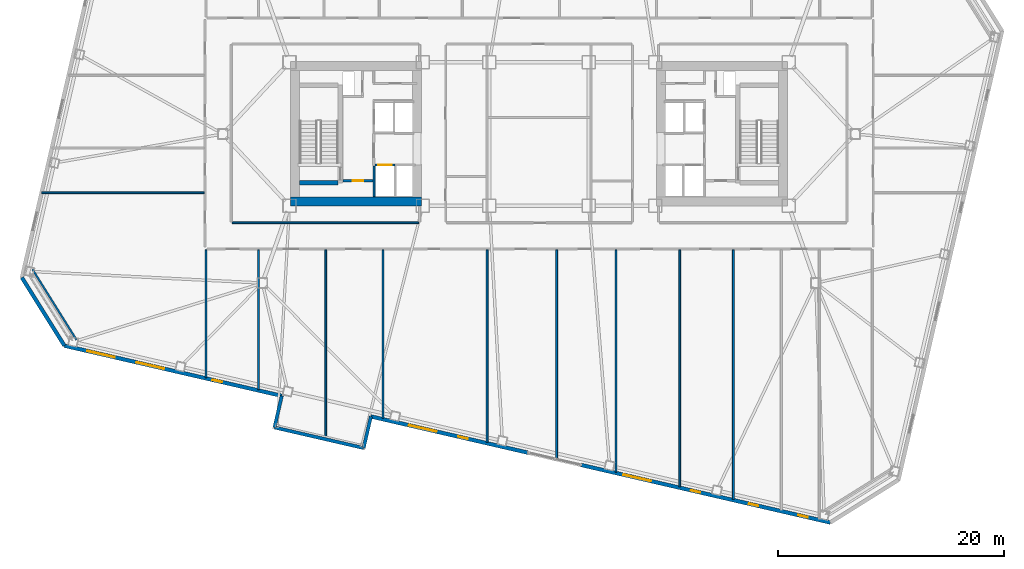
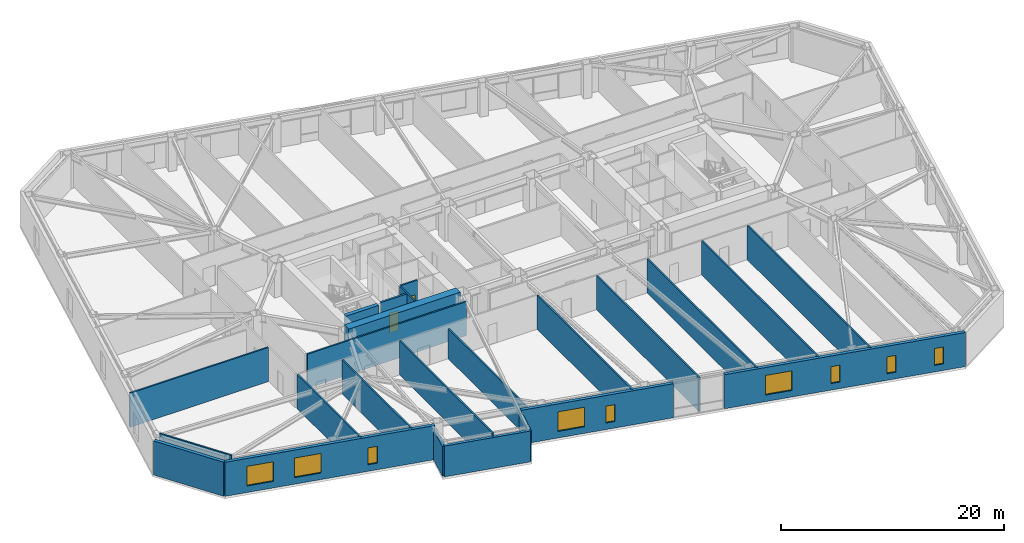
# One storey, part 8 of 18: 24 walls, 9 windows, 2 doors, 11 openings.
"""IFC4 building model written with IfcOpenShell, lengths in metres."""

import ifcopenshell
import ifcopenshell.guid

model = None  # the IFC model being written
_history = None  # IfcOwnerHistory: only IFC2X3 demands one
_inside = {}  # id of a spatial element -> (the spatial element, [elements in it])
_under = {}  # id of a project, library or spatial element -> (it, [spatial elements below it])
_declared = {}  # id of a project -> (the project, [libraries it declares])
_typed = {}  # id of a type object -> (the type object, [elements of that type])
_made_of = {}  # id of a material, layer set ... -> (it, [elements and type objects made of it])


def new_model(schema):
    """Start an empty IFC model of exactly this schema.

    Asked for "IFC4X3", IfcOpenShell would pick the latest addendum, in which some entities
    have other attributes; the version numbers below select the first issue.
    IFC2X3 requires an IfcOwnerHistory on every rooted entity: one is made here for all.
    """
    global model, _history
    if schema == "IFC4X3":
        model = ifcopenshell.file(schema_version=(4, 3, 0, 0))
    else:
        model = ifcopenshell.file(schema=schema)
    _inside.clear()
    _under.clear()
    _declared.clear()
    _typed.clear()
    _made_of.clear()
    _history = None
    if model.schema == "IFC2X3":
        org = make("IfcOrganization", Name="unknown")
        user = make(
            "IfcPersonAndOrganization",
            ThePerson=make("IfcPerson", FamilyName="unknown"),
            TheOrganization=org,
        )
        app = make(
            "IfcApplication",
            ApplicationDeveloper=org,
            Version="unknown",
            ApplicationFullName="unknown",
            ApplicationIdentifier="unknown",
        )
        _history = make(
            "IfcOwnerHistory",
            OwningUser=user,
            OwningApplication=app,
            ChangeAction="ADDED",
            CreationDate=0,
        )
    return model


def make(cls, **values):
    """One entity of the class cls with the attributes given. An attribute that is None is left unset."""
    return model.create_entity(
        cls, **{name: value for name, value in values.items() if value is not None}
    )


def rooted(cls, **values):
    """An entity with a GlobalId (a new one), such as an element, a storey or a relation."""
    return make(cls, GlobalId=ifcopenshell.guid.new(), OwnerHistory=_history, **values)


def si_unit(unit_type, name, prefix=None):
    """IfcSIUnit, for example si_unit("LENGTHUNIT", "METRE", prefix="MILLI")."""
    return make("IfcSIUnit", UnitType=unit_type, Prefix=prefix, Name=name)


def assignment(units):
    """IfcUnitAssignment: the units of a project."""
    return None if units is None else make("IfcUnitAssignment", Units=units)


def point(xyz):
    """IfcCartesianPoint."""
    return None if xyz is None else make("IfcCartesianPoint", Coordinates=xyz)


def direction(xyz):
    """IfcDirection."""
    return None if xyz is None else make("IfcDirection", DirectionRatios=xyz)


def frame(location, z_axis=None, x_axis=None):
    """IfcAxis2Placement3D, a coordinate frame: its origin and axes. An axis left out is left unset."""
    return make(
        "IfcAxis2Placement3D",
        Location=point(location),
        Axis=direction(z_axis),
        RefDirection=direction(x_axis),
    )


def frame_2d(location, x_axis=None):
    """IfcAxis2Placement2D, a coordinate frame in the plane: its origin and x axis."""
    return make(
        "IfcAxis2Placement2D", Location=point(location), RefDirection=direction(x_axis)
    )


def origin():
    """The frame at (0, 0, 0) with its axes left unset."""
    return frame((0.0, 0.0, 0.0))


def place(relative_to, where):
    """IfcLocalPlacement: puts the frame where relative to a parent placement (None: the world)."""
    return make(
        "IfcLocalPlacement", PlacementRelTo=relative_to, RelativePlacement=where
    )


def context(
    kind, dimensions, precision=None, world=None, true_north=None, identifier=None
):
    """IfcGeometricRepresentationContext, for example the 3D "Model" context."""
    return make(
        "IfcGeometricRepresentationContext",
        ContextIdentifier=identifier,
        ContextType=kind,
        CoordinateSpaceDimension=dimensions,
        Precision=precision,
        WorldCoordinateSystem=world,
        TrueNorth=true_north,
    )


def subcontext(parent, identifier, kind, view, scale=None):
    """IfcGeometricRepresentationSubContext, for example "Body" below "Model"."""
    return make(
        "IfcGeometricRepresentationSubContext",
        ContextIdentifier=identifier,
        ContextType=kind,
        ParentContext=parent,
        TargetScale=scale,
        TargetView=view,
    )


def project(units=None, contexts=None):
    """IfcProject with its units and contexts."""
    return rooted(
        "IfcProject",
        Name="project",
        RepresentationContexts=contexts,
        UnitsInContext=assignment(units),
    )


def spatial(cls, under=None, at=None, **own):
    """A site, building, storey or space (cls), placed at a placement, below another one or the project."""
    s = rooted(cls, ObjectPlacement=at, **own)
    if under is not None:
        _under.setdefault(under.id(), (under, []))[1].append(s)
    return s


def profile(cls, at=None, kind="AREA", **sizes):
    """A parametric profile (cls). Its sizes go by their IFC names, for example OverallWidth=200.0."""
    return make(cls, ProfileType=kind, Position=at, **sizes)


def rectangle(**sizes):
    """IfcRectangleProfileDef."""
    return profile("IfcRectangleProfileDef", **sizes)


def extrude(swept, where, along, depth):
    """IfcExtrudedAreaSolid: the profile swept, set in the frame where, extruded along a direction by depth."""
    return make(
        "IfcExtrudedAreaSolid",
        SweptArea=swept,
        Position=where,
        ExtrudedDirection=direction(along),
        Depth=depth,
    )


def shape(context_of_items, identifier, shape_type, items):
    """IfcShapeRepresentation: the items that make up one representation, for example the "Body"."""
    return make(
        "IfcShapeRepresentation",
        ContextOfItems=context_of_items,
        RepresentationIdentifier=identifier,
        RepresentationType=shape_type,
        Items=items,
    )


def material(Name=None, Category=None):
    """IfcMaterial."""
    return make("IfcMaterial", Name=Name, Category=Category)


def layer(
    of_material, thickness, ventilated=None, Name=None, Category=None, Priority=None
):
    """IfcMaterialLayer: one layer of a wall or slab, of a material (None: an air gap)."""
    return make(
        "IfcMaterialLayer",
        Material=of_material,
        LayerThickness=thickness,
        IsVentilated=ventilated,
        Name=Name,
        Category=Category,
        Priority=Priority,
    )


def layer_set(layers, Name=None):
    """IfcMaterialLayerSet."""
    return make("IfcMaterialLayerSet", MaterialLayers=layers, LayerSetName=Name)


def made_of(thing, what):
    """Note that an element or type object is made of a material, layer set ...; save() writes the relation."""
    if what is not None:
        _made_of.setdefault(what.id(), (what, []))[1].append(thing)
    return thing


def type_object(cls, material=None, **own):
    """A type object (cls), such as IfcWallType, which elements share."""
    return made_of(rooted(cls, **own), material)


def element(
    cls,
    number,
    at=None,
    inside=None,
    cuts=None,
    type_object=None,
    material=None,
    context=None,
    identifier="Body",
    shape_type=None,
    held_by="IfcProductDefinitionShape",
    body=None,
    shapes=None,
    **own,
):
    """One element of the class cls, such as IfcWall. Its Tag is "e" and its number.

    at: its placement. inside: the storey or other place that contains it. cuts: it is an
    opening in that element (IfcRelVoidsElement). A single representation is given by context,
    identifier, shape_type and body (its items); several are given by shapes. held_by: the class
    of the entity that holds the representations. save() writes the other relations.
    """
    e = rooted(cls, Tag="e%d" % number, ObjectPlacement=at, **own)
    if body is not None:
        shapes = [shape(context, identifier, shape_type, body)]
    if shapes is not None:
        e.Representation = make(held_by, Representations=shapes)
    if inside is not None:
        _inside.setdefault(inside.id(), (inside, []))[1].append(e)
    if cuts is not None:
        rooted(
            "IfcRelVoidsElement", RelatingBuildingElement=cuts, RelatedOpeningElement=e
        )
    if type_object is not None:
        _typed.setdefault(type_object.id(), (type_object, []))[1].append(e)
    return made_of(e, material)


def fill(opening, filler):
    """IfcRelFillsElement: the door or window that sits in an opening."""
    return rooted(
        "IfcRelFillsElement",
        RelatingOpeningElement=opening,
        RelatedBuildingElement=filler,
    )


def aggregate(whole, parts):
    """IfcRelAggregates: a whole, such as a stair, and the parts it consists of."""
    return rooted("IfcRelAggregates", RelatingObject=whole, RelatedObjects=parts)


def save(model, path):
    """Write the relations noted so far, then the file.

    IfcRelAggregates (storeys below a building ...), IfcRelContainedInSpatialStructure (elements
    in a storey), IfcRelDefinesByType, IfcRelAssociatesMaterial and IfcRelDeclares: one each for
    every whole, place, type object, material and project.
    """
    for whole, parts in _under.values():
        aggregate(whole, parts)
    for where, things in _inside.values():
        rooted(
            "IfcRelContainedInSpatialStructure",
            RelatedElements=things,
            RelatingStructure=where,
        )
    for kind, things in _typed.values():
        rooted("IfcRelDefinesByType", RelatedObjects=things, RelatingType=kind)
    for what, things in _made_of.values():
        rooted("IfcRelAssociatesMaterial", RelatedObjects=things, RelatingMaterial=what)
    for by, libraries in _declared.values():
        rooted("IfcRelDeclares", RelatingContext=by, RelatedDefinitions=libraries)
    model.write(path)


model = new_model("IFC4")

# Units and contexts
model_context = context("Model", 3, precision=1e-05, world=origin(), true_north=direction((0.0, 1.0)))
body_context = subcontext(model_context, "Body", "Model", "MODEL_VIEW")
ifc_project = project(units=[si_unit("LENGTHUNIT", "METRE"), si_unit("AREAUNIT", "SQUARE_METRE"), si_unit("VOLUMEUNIT", "CUBIC_METRE"), si_unit("PLANEANGLEUNIT", "RADIAN"), si_unit("MASSUNIT", "GRAM", prefix="KILO")], contexts=[model_context])

# Site, building, storey
site_placement = place(None, origin())
site = spatial("IfcSite", under=ifc_project, at=site_placement, CompositionType="ELEMENT")
building_placement = place(site_placement, origin())
building = spatial("IfcBuilding", under=site, at=building_placement, Name="Tavrogorsk Clinical Tower", CompositionType="ELEMENT")
storey_placement = place(building_placement, frame((0.0, 0.0, 51.39990234375)))
storey = spatial("IfcBuildingStorey", under=building, at=storey_placement, Name="L10", CompositionType="ELEMENT", Elevation=51.39990234375)

# Wall, opening, door
ifc_material_1 = material(Name="Concrete B60", Category="concrete")
ifc_layer_1 = layer(ifc_material_1, 0.199951171875)
ifc_layer_set_1 = layer_set([ifc_layer_1], Name="Concrete B60")
wall_type_1 = type_object("IfcWallType", Name="CoreFireWall_200", PredefinedType="SOLIDWALL", material=ifc_layer_set_1)
wall_1_placement = place(storey_placement, frame((-17.3798828125, -4.139892578125, 0.0), z_axis=(0.0, 0.0, 1.0), x_axis=(1.0, 0.0, 0.0)))
wall_1 = element("IfcWall", 1, at=wall_1_placement, inside=storey, type_object=wall_type_1, Name="L10 Core West South Core Room Fire Wall", PredefinedType="SOLIDWALL", context=body_context, shape_type="SweptSolid", body=[
    extrude(rectangle(XDim=2.659912109375, YDim=0.199951171875, at=frame_2d((1.330078125, 0.0))), origin(), (0.0, 0.0, 1.0), 3.739990234375),
])
opening_1_placement = place(wall_1_placement, frame((0.8798828125, 0.0, 0.0)))
opening_1 = element("IfcOpeningElement", 2, at=opening_1_placement, cuts=wall_1, Name="Opening ID-02", PredefinedType="OPENING", context=body_context, shape_type="SweptSolid", body=[
    extrude(rectangle(XDim=0.949951171875, YDim=2.199951171875, at=frame_2d((0.47509765625, 1.10009765625))), frame((0.0, 0.10986328125, 0.0), z_axis=(0.0, -1.0, 0.0), x_axis=(1.0, 0.0, 0.0)), (0.0, 0.0, 1.0), 0.219970703125),
])
ifc_material_2 = material(Name="Laminated timber leaf on aluminium frame", Category="wood")
door_type_1 = type_object("IfcDoorType", Name="InteriorDoor_ID02_950", OperationType="NOTDEFINED", PredefinedType="DOOR", material=ifc_material_2)
door_1_placement = place(opening_1_placement, origin())
door_1 = element("IfcDoor", 3, at=door_1_placement, inside=storey, type_object=door_type_1, Name="L10 Core West South Core Room Door", OperationType="SINGLE_SWING_RIGHT", OverallHeight=2.199951171875, OverallWidth=0.949951171875, PredefinedType="DOOR", context=body_context, shape_type="SweptSolid", body=[
    extrude(rectangle(XDim=0.949951171875, YDim=2.199951171875, at=frame_2d((0.47509765625, 1.10009765625))), frame((0.0, 0.02490234375, 0.0), z_axis=(0.0, -1.0, 0.0), x_axis=(1.0, 0.0, 0.0)), (0.0, 0.0, 1.0), 0.050048828125),
])
fill(opening_1, door_1)

# Walls
ifc_material_3 = material(Name="Lightweight concrete blockwork B15", Category="masonry")
ifc_layer_2 = layer(ifc_material_3, 0.159912109375)
ifc_layer_set_2 = layer_set([ifc_layer_2], Name="Lightweight concrete blockwork B15")
wall_type_2 = type_object("IfcWallType", Name="PartitionWall_160", PredefinedType="PARTITIONING", material=ifc_layer_set_2)
wall_2_placement = place(storey_placement, frame((-44.85986328125, -11.9892578125, 0.0), z_axis=(0.0, 0.0, 1.0), x_axis=(0.52991239767, -0.848052386823, 0.0)))
element("IfcWall", 4, at=wall_2_placement, inside=storey, type_object=wall_type_2, Name="L10 Corner Exoskeleton Brace Furring Wall 4", PredefinedType="PARTITIONING", context=body_context, shape_type="SweptSolid", body=[
    extrude(rectangle(XDim=7.35400390625, YDim=0.159912109375, at=frame_2d((3.677001953125, 0.0))), origin(), (0.0, 0.0, 1.0), 3.739990234375),
])
wall_3_placement = place(storey_placement, frame((-27.18505859375, -7.8701171875, 0.0), z_axis=(0.0, 0.0, 1.0), x_axis=(1.0, 0.0, 0.0)))
element("IfcWall", 5, at=wall_3_placement, inside=storey, type_object=wall_type_2, Name="L10 Corridor Partition 18", PredefinedType="PARTITIONING", context=body_context, shape_type="SweptSolid", body=[
    extrude(rectangle(XDim=16.52001953125, YDim=0.159912109375, at=frame_2d((8.260009765625, 0.0))), origin(), (0.0, 0.0, 1.0), 3.739990234375),
])
wall_4_placement = place(storey_placement, frame((-29.5, -21.570556640625, 0.0), z_axis=(0.0, 0.0, 1.0), x_axis=(0.0, 1.0, 0.0)))
element("IfcWall", 6, at=wall_4_placement, inside=storey, type_object=wall_type_2, Name="L10 SW Wing Closure Partition", PredefinedType="PARTITIONING", context=body_context, shape_type="SweptSolid", body=[
    extrude(rectangle(XDim=11.3056640625, YDim=0.159912109375, at=frame_2d((5.65283203125, 0.0))), origin(), (0.0, 0.0, 1.0), 3.739990234375),
])
wall_5_placement = place(storey_placement, frame((-24.85009765625, -22.64404296875, 0.0), z_axis=(0.0, 0.0, 1.0), x_axis=(0.0, 1.0, 0.0)))
element("IfcWall", 7, at=wall_5_placement, inside=storey, type_object=wall_type_2, Name="L10 South Room Partition 1", PredefinedType="PARTITIONING", context=body_context, shape_type="SweptSolid", body=[
    extrude(rectangle(XDim=12.379150390625, YDim=0.159912109375, at=frame_2d((6.189453125, 0.0))), origin(), (0.0, 0.0, 1.0), 3.739990234375),
])
wall_6_placement = place(storey_placement, frame((-13.826904296875, -25.18896484375, 0.0), z_axis=(0.0, 0.0, 1.0), x_axis=(0.0, 1.0, 0.0)))
element("IfcWall", 8, at=wall_6_placement, inside=storey, type_object=wall_type_2, Name="L10 South Room Partition 2", PredefinedType="PARTITIONING", context=body_context, shape_type="SweptSolid", body=[
    extrude(rectangle(XDim=14.924072265625, YDim=0.159912109375, at=frame_2d((7.4619140625, 0.0))), origin(), (0.0, 0.0, 1.0), 3.28515625),
])
wall_7_placement = place(storey_placement, frame((-4.60009765625, -27.319091796875, 0.0), z_axis=(0.0, 0.0, 1.0), x_axis=(0.0, 1.0, 0.0)))
element("IfcWall", 9, at=wall_7_placement, inside=storey, type_object=wall_type_2, Name="L10 South Room Partition 3", PredefinedType="PARTITIONING", context=body_context, shape_type="SweptSolid", body=[
    extrude(rectangle(XDim=17.05419921875, YDim=0.159912109375, at=frame_2d((8.527099609375, 0.0))), origin(), (0.0, 0.0, 1.0), 3.739990234375),
])
wall_8_placement = place(storey_placement, frame((6.800048828125, -29.951171875, 0.0), z_axis=(0.0, 0.0, 1.0), x_axis=(0.0, 1.0, 0.0)))
element("IfcWall", 10, at=wall_8_placement, inside=storey, type_object=wall_type_2, Name="L10 South Room Partition 4", PredefinedType="PARTITIONING", context=body_context, shape_type="SweptSolid", body=[
    extrude(rectangle(XDim=19.686279296875, YDim=0.159912109375, at=frame_2d((9.84326171875, 0.0))), origin(), (0.0, 0.0, 1.0), 3.739990234375),
])
wall_9_placement = place(storey_placement, frame((17.199951171875, -32.35205078125, 0.0), z_axis=(0.0, 0.0, 1.0), x_axis=(0.0, 1.0, 0.0)))
element("IfcWall", 11, at=wall_9_placement, inside=storey, type_object=wall_type_2, Name="L10 South Room Partition 5", PredefinedType="PARTITIONING", context=body_context, shape_type="SweptSolid", body=[
    extrude(rectangle(XDim=22.087158203125, YDim=0.159912109375, at=frame_2d((11.04345703125, 0.0))), origin(), (0.0, 0.0, 1.0), 3.739990234375),
])
wall_10_placement = place(storey_placement, frame((-18.888916015625, -26.9453125, 0.0), z_axis=(0.0, 0.0, 1.0), x_axis=(0.0, 1.0, 0.0)))
element("IfcWall", 12, at=wall_10_placement, inside=storey, type_object=wall_type_2, Name="L10 South Sub-Partition 2", PredefinedType="PARTITIONING", context=body_context, shape_type="SweptSolid", body=[
    extrude(rectangle(XDim=16.680419921875, YDim=0.159912109375, at=frame_2d((8.34033203125, 0.0))), origin(), (0.0, 0.0, 1.0), 3.739990234375),
])
wall_11_placement = place(storey_placement, frame((1.550048828125, -28.739013671875, 0.0), z_axis=(0.0, 0.0, 1.0), x_axis=(0.0, 1.0, 0.0)))
element("IfcWall", 13, at=wall_11_placement, inside=storey, type_object=wall_type_2, Name="L10 South Sub-Partition 4", PredefinedType="PARTITIONING", context=body_context, shape_type="SweptSolid", body=[
    extrude(rectangle(XDim=18.47412109375, YDim=0.159912109375, at=frame_2d((9.237060546875, 0.0))), origin(), (0.0, 0.0, 1.0), 3.739990234375),
])
wall_12_placement = place(storey_placement, frame((12.449951171875, -31.255615234375, 0.0), z_axis=(0.0, 0.0, 1.0), x_axis=(0.0, 1.0, 0.0)))
element("IfcWall", 14, at=wall_12_placement, inside=storey, type_object=wall_type_2, Name="L10 South Sub-Partition 5", PredefinedType="PARTITIONING", context=body_context, shape_type="SweptSolid", body=[
    extrude(rectangle(XDim=20.99072265625, YDim=0.159912109375, at=frame_2d((10.495361328125, 0.0))), origin(), (0.0, 0.0, 1.0), 3.739990234375),
])
wall_13_placement = place(storey_placement, frame((-44.0419921875, -5.199951171875, 0.0), z_axis=(0.0, 0.0, 1.0), x_axis=(1.0, 0.0, 0.0)))
element("IfcWall", 15, at=wall_13_placement, inside=storey, type_object=wall_type_2, Name="L10 W Wing Divider 1", PredefinedType="PARTITIONING", context=body_context, shape_type="SweptSolid", body=[
    extrude(rectangle(XDim=14.376953125, YDim=0.159912109375, at=frame_2d((7.1884765625, 0.0))), origin(), (0.0, 0.0, 1.0), 3.739990234375),
])

# Wall, openings, windows
ifc_material_4 = material(Name="Precast concrete B45 with limestone cladding", Category="masonry")
ifc_layer_3 = layer(ifc_material_4, 0.340087890625)
ifc_layer_set_3 = layer_set([ifc_layer_3], Name="Precast concrete B45 with limestone cladding")
wall_type_3 = type_object("IfcWallType", Name="PrecastLimestoneWall_340", PredefinedType="STANDARD", material=ifc_layer_set_3)
wall_14_placement = place(storey_placement, frame((-42.028564453125, -18.75, 0.0), z_axis=(0.0, 0.0, 1.0), x_axis=(0.974371399361, -0.224945273581, 0.0)))
wall_14 = element("IfcWall", 16, at=wall_14_placement, inside=storey, type_object=wall_type_3, Name="L10 S Limestone Facade Wall 1", PredefinedType="STANDARD", context=body_context, shape_type="SweptSolid", body=[
    extrude(rectangle(XDim=19.749755859375, YDim=0.340087890625, at=frame_2d((9.875, 0.0))), origin(), (0.0, 0.0, 1.0), 3.739990234375),
])
opening_2_placement = place(wall_14_placement, frame((2.06201171875, 0.0, 0.719970703125)))
opening_2 = element("IfcOpeningElement", 17, at=opening_2_placement, cuts=wall_14, Name="Opening WN-11", PredefinedType="OPENING", context=body_context, shape_type="SweptSolid", body=[
    extrude(rectangle(XDim=2.5, YDim=2.14990234375, at=frame_2d((1.25, 1.074951171875))), frame((0.0, 0.179931640625, 0.0), z_axis=(0.0, -1.0, 0.0), x_axis=(1.0, 0.0, 0.0)), (0.0, 0.0, 1.0), 0.360107421875),
])
opening_3_placement = place(wall_14_placement, frame((6.54638671875, 0.0, 0.719970703125)))
opening_3 = element("IfcOpeningElement", 18, at=opening_3_placement, cuts=wall_14, Name="Opening WN-11", PredefinedType="OPENING", context=body_context, shape_type="SweptSolid", body=[
    extrude(rectangle(XDim=2.5, YDim=2.14990234375, at=frame_2d((1.25, 1.074951171875))), frame((0.0, 0.179931640625, 0.0), z_axis=(0.0, -1.0, 0.0), x_axis=(1.0, 0.0, 0.0)), (0.0, 0.0, 1.0), 0.360107421875),
])
opening_4_placement = place(wall_14_placement, frame((13.460693359375, 0.0, 0.719970703125)))
opening_4 = element("IfcOpeningElement", 19, at=opening_4_placement, cuts=wall_14, Name="Opening WN-06", PredefinedType="OPENING", context=body_context, shape_type="SweptSolid", body=[
    extrude(rectangle(XDim=0.85009765625, YDim=1.85009765625, at=frame_2d((0.425048828125, 0.925048828125))), frame((0.0, 0.179931640625, 0.0), z_axis=(0.0, -1.0, 0.0), x_axis=(1.0, 0.0, 0.0)), (0.0, 0.0, 1.0), 0.360107421875),
])
ifc_material_5 = material(Name="Thermally broken aluminium frame and triple IGU", Category="aluminium")
window_type_1 = type_object("IfcWindowType", Name="MullionSubWin_850x1850", PartitioningType="SINGLE_PANEL", PredefinedType="WINDOW", material=ifc_material_5)
window_1_placement = place(opening_4_placement, origin())
window_1 = element("IfcWindow", 20, at=window_1_placement, inside=storey, type_object=window_type_1, Name="L10 S Mullion Split Window 03B", OverallHeight=1.85009765625, OverallWidth=0.85009765625, PartitioningType="SINGLE_PANEL", PredefinedType="WINDOW", context=body_context, shape_type="SweptSolid", body=[
    extrude(rectangle(XDim=0.85009765625, YDim=1.85009765625, at=frame_2d((0.425048828125, 0.925048828125))), frame((0.0, 0.030029296875, 0.0), z_axis=(0.0, -1.0, 0.0), x_axis=(1.0, 0.0, 0.0)), (0.0, 0.0, 1.0), 0.06005859375),
])
fill(opening_4, window_1)
ifc_material_6 = material(Name="Thermally broken aluminium frame and triple IGU", Category="aluminium")
window_type_2 = type_object("IfcWindowType", Name="StepDownWin_2500x2150", PartitioningType="TRIPLE_PANEL_HORIZONTAL", PredefinedType="WINDOW", material=ifc_material_6)
window_2_placement = place(opening_2_placement, origin())
window_2 = element("IfcWindow", 21, at=window_2_placement, inside=storey, type_object=window_type_2, Name="L10 S Chicago Window 01", OverallHeight=2.14990234375, OverallWidth=2.5, PartitioningType="SINGLE_PANEL", PredefinedType="WINDOW", context=body_context, shape_type="SweptSolid", body=[
    extrude(rectangle(XDim=2.5, YDim=2.14990234375, at=frame_2d((1.25, 1.074951171875))), frame((0.0, 0.030029296875, 0.0), z_axis=(0.0, -1.0, 0.0), x_axis=(1.0, 0.0, 0.0)), (0.0, 0.0, 1.0), 0.06005859375),
])
fill(opening_2, window_2)
window_3_placement = place(opening_3_placement, origin())
window_3 = element("IfcWindow", 22, at=window_3_placement, inside=storey, type_object=window_type_2, Name="L10 S Chicago Window 02", OverallHeight=2.14990234375, OverallWidth=2.5, PartitioningType="SINGLE_PANEL", PredefinedType="WINDOW", context=body_context, shape_type="SweptSolid", body=[
    extrude(rectangle(XDim=2.5, YDim=2.14990234375, at=frame_2d((1.25, 1.074951171875))), frame((0.0, 0.030029296875, 0.0), z_axis=(0.0, -1.0, 0.0), x_axis=(1.0, 0.0, 0.0)), (0.0, 0.0, 1.0), 0.06005859375),
])
fill(opening_3, window_3)

wall_15_placement = place(storey_placement, frame((-14.892333984375, -25.014892578125, 0.0), z_axis=(0.0, 0.0, 1.0), x_axis=(0.974372775, -0.224939314791, 0.0)))
wall_15 = element("IfcWall", 23, at=wall_15_placement, inside=storey, type_object=wall_type_3, Name="L10 S Limestone Facade Wall 2", PredefinedType="STANDARD", context=body_context, shape_type="SweptSolid", body=[
    extrude(rectangle(XDim=14.298583984375, YDim=0.340087890625, at=frame_2d((7.1494140625, 0.0))), origin(), (0.0, 0.0, 1.0), 3.739990234375),
])
opening_5_placement = place(wall_15_placement, frame((3.457763671875, 0.0, 0.719970703125)))
opening_5 = element("IfcOpeningElement", 24, at=opening_5_placement, cuts=wall_15, Name="Opening WN-11", PredefinedType="OPENING", context=body_context, shape_type="SweptSolid", body=[
    extrude(rectangle(XDim=2.5, YDim=2.14990234375, at=frame_2d((1.25, 1.074951171875))), frame((0.0, 0.179931640625, 0.0), z_axis=(0.0, -1.0, 0.0), x_axis=(1.0, 0.0, 0.0)), (0.0, 0.0, 1.0), 0.360107421875),
])
opening_6_placement = place(wall_15_placement, frame((7.942138671875, 0.0, 0.719970703125)))
opening_6 = element("IfcOpeningElement", 25, at=opening_6_placement, cuts=wall_15, Name="Opening WN-06", PredefinedType="OPENING", context=body_context, shape_type="SweptSolid", body=[
    extrude(rectangle(XDim=0.85009765625, YDim=1.85009765625, at=frame_2d((0.425048828125, 0.925048828125))), frame((0.0, 0.179931640625, 0.0), z_axis=(0.0, -1.0, 0.0), x_axis=(1.0, 0.0, 0.0)), (0.0, 0.0, 1.0), 0.360107421875),
])
window_4_placement = place(opening_6_placement, origin())
window_4 = element("IfcWindow", 26, at=window_4_placement, inside=storey, type_object=window_type_1, Name="L10 S Mullion Split Window 06A", OverallHeight=1.85009765625, OverallWidth=0.85009765625, PartitioningType="SINGLE_PANEL", PredefinedType="WINDOW", context=body_context, shape_type="SweptSolid", body=[
    extrude(rectangle(XDim=0.85009765625, YDim=1.85009765625, at=frame_2d((0.425048828125, 0.925048828125))), frame((0.0, 0.030029296875, 0.0), z_axis=(0.0, -1.0, 0.0), x_axis=(1.0, 0.0, 0.0)), (0.0, 0.0, 1.0), 0.06005859375),
])
fill(opening_6, window_4)
window_5_placement = place(opening_5_placement, origin())
window_5 = element("IfcWindow", 27, at=window_5_placement, inside=storey, type_object=window_type_2, Name="L10 S Chicago Window 05", OverallHeight=2.14990234375, OverallWidth=2.5, PartitioningType="SINGLE_PANEL", PredefinedType="WINDOW", context=body_context, shape_type="SweptSolid", body=[
    extrude(rectangle(XDim=2.5, YDim=2.14990234375, at=frame_2d((1.25, 1.074951171875))), frame((0.0, 0.030029296875, 0.0), z_axis=(0.0, -1.0, 0.0), x_axis=(1.0, 0.0, 0.0)), (0.0, 0.0, 1.0), 0.06005859375),
])
fill(opening_5, window_5)

wall_16_placement = place(storey_placement, frame((3.716796875, -29.31103515625, 0.0), z_axis=(0.0, 0.0, 1.0), x_axis=(0.97436993772, -0.224951604723, 0.0)))
wall_16 = element("IfcWall", 28, at=wall_16_placement, inside=storey, type_object=wall_type_3, Name="L10 S Limestone Facade Wall 3", PredefinedType="STANDARD", context=body_context, shape_type="SweptSolid", body=[
    extrude(rectangle(XDim=22.6513671875, YDim=0.340087890625, at=frame_2d((11.32568359375, 0.0))), origin(), (0.0, 0.0, 1.0), 3.739990234375),
])
opening_7_placement = place(wall_16_placement, frame((3.8564453125, 0.0, 0.719970703125)))
opening_7 = element("IfcOpeningElement", 29, at=opening_7_placement, cuts=wall_16, Name="Opening WN-11", PredefinedType="OPENING", context=body_context, shape_type="SweptSolid", body=[
    extrude(rectangle(XDim=2.5, YDim=2.14990234375, at=frame_2d((1.25, 1.074951171875))), frame((0.0, 0.179931640625, 0.0), z_axis=(0.0, -1.0, 0.0), x_axis=(1.0, 0.0, 0.0)), (0.0, 0.0, 1.0), 0.360107421875),
])
opening_8_placement = place(wall_16_placement, frame((9.99072265625, 0.0, 0.719970703125)))
opening_8 = element("IfcOpeningElement", 30, at=opening_8_placement, cuts=wall_16, Name="Opening WN-06", PredefinedType="OPENING", context=body_context, shape_type="SweptSolid", body=[
    extrude(rectangle(XDim=0.85009765625, YDim=1.85009765625, at=frame_2d((0.425048828125, 0.925048828125))), frame((0.0, 0.179931640625, 0.0), z_axis=(0.0, -1.0, 0.0), x_axis=(1.0, 0.0, 0.0)), (0.0, 0.0, 1.0), 0.360107421875),
])
opening_9_placement = place(wall_16_placement, frame((15.2548828125, 0.0, 0.719970703125)))
opening_9 = element("IfcOpeningElement", 31, at=opening_9_placement, cuts=wall_16, Name="Opening WN-06", PredefinedType="OPENING", context=body_context, shape_type="SweptSolid", body=[
    extrude(rectangle(XDim=0.85009765625, YDim=1.85009765625, at=frame_2d((0.425048828125, 0.925048828125))), frame((0.0, 0.179931640625, 0.0), z_axis=(0.0, -1.0, 0.0), x_axis=(1.0, 0.0, 0.0)), (0.0, 0.0, 1.0), 0.360107421875),
])
opening_10_placement = place(wall_16_placement, frame((19.7392578125, 0.0, 0.719970703125)))
opening_10 = element("IfcOpeningElement", 32, at=opening_10_placement, cuts=wall_16, Name="Opening WN-06", PredefinedType="OPENING", context=body_context, shape_type="SweptSolid", body=[
    extrude(rectangle(XDim=0.85009765625, YDim=1.85009765625, at=frame_2d((0.425048828125, 0.925048828125))), frame((0.0, 0.179931640625, 0.0), z_axis=(0.0, -1.0, 0.0), x_axis=(1.0, 0.0, 0.0)), (0.0, 0.0, 1.0), 0.360107421875),
])
window_6_placement = place(opening_8_placement, origin())
window_6 = element("IfcWindow", 33, at=window_6_placement, inside=storey, type_object=window_type_1, Name="L10 S Mullion Split Window 08B", OverallHeight=1.85009765625, OverallWidth=0.85009765625, PartitioningType="SINGLE_PANEL", PredefinedType="WINDOW", context=body_context, shape_type="SweptSolid", body=[
    extrude(rectangle(XDim=0.85009765625, YDim=1.85009765625, at=frame_2d((0.425048828125, 0.925048828125))), frame((0.0, 0.030029296875, 0.0), z_axis=(0.0, -1.0, 0.0), x_axis=(1.0, 0.0, 0.0)), (0.0, 0.0, 1.0), 0.06005859375),
])
fill(opening_8, window_6)
window_7_placement = place(opening_9_placement, origin())
window_7 = element("IfcWindow", 34, at=window_7_placement, inside=storey, type_object=window_type_1, Name="L10 S Mullion Split Window 09B", OverallHeight=1.85009765625, OverallWidth=0.85009765625, PartitioningType="SINGLE_PANEL", PredefinedType="WINDOW", context=body_context, shape_type="SweptSolid", body=[
    extrude(rectangle(XDim=0.85009765625, YDim=1.85009765625, at=frame_2d((0.425048828125, 0.925048828125))), frame((0.0, 0.030029296875, 0.0), z_axis=(0.0, -1.0, 0.0), x_axis=(1.0, 0.0, 0.0)), (0.0, 0.0, 1.0), 0.06005859375),
])
fill(opening_9, window_7)
window_8_placement = place(opening_10_placement, origin())
window_8 = element("IfcWindow", 35, at=window_8_placement, inside=storey, type_object=window_type_1, Name="L10 S Mullion Split Window 10B", OverallHeight=1.85009765625, OverallWidth=0.85009765625, PartitioningType="SINGLE_PANEL", PredefinedType="WINDOW", context=body_context, shape_type="SweptSolid", body=[
    extrude(rectangle(XDim=0.85009765625, YDim=1.85009765625, at=frame_2d((0.425048828125, 0.925048828125))), frame((0.0, 0.030029296875, 0.0), z_axis=(0.0, -1.0, 0.0), x_axis=(1.0, 0.0, 0.0)), (0.0, 0.0, 1.0), 0.06005859375),
])
fill(opening_10, window_8)
window_9_placement = place(opening_7_placement, origin())
window_9 = element("IfcWindow", 36, at=window_9_placement, inside=storey, type_object=window_type_2, Name="L10 S Chicago Window 07", OverallHeight=2.14990234375, OverallWidth=2.5, PartitioningType="SINGLE_PANEL", PredefinedType="WINDOW", context=body_context, shape_type="SweptSolid", body=[
    extrude(rectangle(XDim=2.5, YDim=2.14990234375, at=frame_2d((1.25, 1.074951171875))), frame((0.0, 0.030029296875, 0.0), z_axis=(0.0, -1.0, 0.0), x_axis=(1.0, 0.0, 0.0)), (0.0, 0.0, 1.0), 0.06005859375),
])
fill(opening_7, window_9)

# Walls
wall_17_placement = place(storey_placement, frame((-45.798095703125, -12.71728515625, 0.0), z_axis=(0.0, 0.0, 1.0), x_axis=(0.529906387556, -0.848056142261, 0.0)))
element("IfcWall", 37, at=wall_17_placement, inside=storey, type_object=wall_type_3, Name="L10 Chamfered Corner Wall 4", PredefinedType="STANDARD", context=body_context, shape_type="SweptSolid", body=[
    extrude(rectangle(XDim=7.113525390625, YDim=0.340087890625, at=frame_2d((3.556640625, 0.0))), origin(), (0.0, 0.0, 1.0), 3.739990234375),
])
wall_18_placement = place(storey_placement, frame((-23.430419921875, -25.9892578125, 0.0), z_axis=(0.0, 0.0, 1.0), x_axis=(0.974371888243, -0.224943155936, 0.0)))
element("IfcWall", 38, at=wall_18_placement, inside=storey, type_object=wall_type_3, Name="L10 Day-Room Limestone Front DRB-01", PredefinedType="STANDARD", context=body_context, shape_type="SweptSolid", body=[
    extrude(rectangle(XDim=8.099853515625, YDim=0.300048828125, at=frame_2d((4.0498046875, 0.0))), origin(), (0.0, 0.0, 1.0), 3.385009765625),
])

# Wall, opening, door
ifc_material_7 = material(Name="Lightweight concrete blockwork B25", Category="masonry")
ifc_layer_4 = layer(ifc_material_7, 0.159912109375)
ifc_layer_set_4 = layer_set([ifc_layer_4], Name="Lightweight concrete blockwork B25")
wall_type_4 = type_object("IfcWallType", Name="ShaftWall_160", PredefinedType="PARTITIONING", material=ifc_layer_set_4)
wall_19_placement = place(storey_placement, frame((-14.530029296875, -2.75, 0.0), z_axis=(0.0, 0.0, 1.0), x_axis=(1.0, 0.0, 0.0)))
wall_19 = element("IfcWall", 39, at=wall_19_placement, inside=storey, type_object=wall_type_4, Name="L10 LP-L1 Lift Shaft Portal Wall", PredefinedType="PARTITIONING", context=body_context, shape_type="SweptSolid", body=[
    extrude(rectangle(XDim=1.760009765625, YDim=0.159912109375, at=frame_2d((0.8798828125, 0.0))), origin(), (0.0, 0.0, 1.0), 3.739990234375),
])
opening_11_placement = place(wall_19_placement, frame((0.280029296875, 0.0, 0.0)))
opening_11 = element("IfcOpeningElement", 40, at=opening_11_placement, cuts=wall_19, Name="Opening LD", PredefinedType="OPENING", context=body_context, shape_type="SweptSolid", body=[
    extrude(rectangle(XDim=1.199951171875, YDim=2.199951171875, at=frame_2d((0.60009765625, 1.10009765625))), frame((0.0, 0.08984375, 0.0), z_axis=(0.0, -1.0, 0.0), x_axis=(1.0, 0.0, 0.0)), (0.0, 0.0, 1.0), 0.179931640625),
])
ifc_material_8 = material(Name="Brushed stainless steel AISI 304 sliding doors", Category="steel")
door_type_2 = type_object("IfcDoorType", Name="LiftLandingDoor_LD_1200", OperationType="SLIDING_TO_LEFT", PredefinedType="DOOR", material=ifc_material_8)
door_2_placement = place(opening_11_placement, origin())
door_2 = element("IfcDoor", 41, at=door_2_placement, inside=storey, type_object=door_type_2, Name="L10 LP-L1 Sliding Lift Landing Door", OperationType="SLIDING_TO_LEFT", OverallHeight=2.199951171875, OverallWidth=1.199951171875, PredefinedType="DOOR", context=body_context, shape_type="SweptSolid", body=[
    extrude(rectangle(XDim=1.199951171875, YDim=2.199951171875, at=frame_2d((0.60009765625, 1.10009765625))), frame((0.0, 0.02490234375, 0.0), z_axis=(0.0, -1.0, 0.0), x_axis=(1.0, 0.0, 0.0)), (0.0, 0.0, 1.0), 0.050048828125),
])
fill(opening_11, door_2)

# Walls
wall_20_placement = place(storey_placement, frame((-14.610107421875, -5.5400390625, 0.0), z_axis=(0.0, 0.0, 1.0), x_axis=(0.0, 1.0, 0.0)))
element("IfcWall", 42, at=wall_20_placement, inside=storey, type_object=wall_type_4, Name="L10 LP-L1 Lift Hoistway Outer Cheek Wall", PredefinedType="PARTITIONING", context=body_context, shape_type="SweptSolid", body=[
    extrude(rectangle(XDim=2.699951171875, YDim=0.159912109375, at=frame_2d((1.35009765625, 0.0))), origin(), (0.0, 0.0, 1.0), 3.739990234375),
])
ifc_material_9 = material(Name="Concrete B80", Category="concrete")
ifc_layer_5 = layer(ifc_material_9, 0.39990234375)
ifc_layer_set_5 = layer_set([ifc_layer_5], Name="Concrete B80")
wall_type_5 = type_object("IfcWallType", Name="ShearWall_400", PredefinedType="SHEAR", material=ifc_layer_set_5)
wall_21_placement = place(storey_placement, frame((-21.199951171875, -4.324951171875, 0.0), z_axis=(0.0, 0.0, 1.0), x_axis=(1.0, 0.0, 0.0)))
element("IfcWall", 43, at=wall_21_placement, inside=storey, type_object=wall_type_5, Name="L10 Core West Stair Shaft South Shear Wall", PredefinedType="SHEAR", context=body_context, shape_type="SweptSolid", body=[
    extrude(rectangle(XDim=3.39990234375, YDim=0.39990234375, at=frame_2d((1.699951171875, 0.0))), origin(), (0.0, 0.0, 1.0), 3.739990234375),
])
ifc_material_10 = material(Name="Concrete B80", Category="concrete")
ifc_layer_6 = layer(ifc_material_10, 0.800048828125)
ifc_layer_set_6 = layer_set([ifc_layer_6], Name="Concrete B80")
wall_type_6 = type_object("IfcWallType", Name="ShearWall_800", PredefinedType="SHEAR", material=ifc_layer_set_6)
wall_22_placement = place(storey_placement, frame((-22.0, -6.0, 0.0), z_axis=(0.0, 0.0, 1.0), x_axis=(1.0, 0.0, 0.0)))
element("IfcWall", 44, at=wall_22_placement, inside=storey, type_object=wall_type_6, Name="L10 Core West South Shear Wall", PredefinedType="SHEAR", context=body_context, shape_type="SweptSolid", body=[
    extrude(rectangle(XDim=11.60009765625, YDim=0.800048828125, at=frame_2d((5.800048828125, 0.0))), origin(), (0.0, 0.0, 1.0), 3.739990234375),
])
ifc_material_11 = material(Name="Precast concrete B45 with mineral wool", Category="concrete")
ifc_layer_7 = layer(ifc_material_11, 0.300048828125)
ifc_layer_set_7 = layer_set([ifc_layer_7], Name="Precast concrete B45 with mineral wool")
wall_type_7 = type_object("IfcWallType", Name="SpandrelBackWall_300", PredefinedType="STANDARD", material=ifc_layer_set_7)
wall_23_placement = place(storey_placement, frame((-22.78466796875, -23.192626953125, 0.0), z_axis=(0.0, 0.0, 1.0), x_axis=(-0.224983749842, -0.974362515857, 0.0)))
element("IfcWall", 45, at=wall_23_placement, inside=storey, type_object=wall_type_7, Name="L10 Day-Room Cheek Wall DRB-01-L", PredefinedType="STANDARD", context=body_context, shape_type="SweptSolid", body=[
    extrude(rectangle(XDim=2.8701171875, YDim=0.300048828125, at=frame_2d((1.43505859375, 0.0))), origin(), (0.0, 0.0, 1.0), 3.28515625),
])
wall_24_placement = place(storey_placement, frame((-14.892333984375, -25.014892578125, 0.0), z_axis=(0.0, 0.0, 1.0), x_axis=(-0.225002397841, -0.97435820978, 0.0)))
element("IfcWall", 46, at=wall_24_placement, inside=storey, type_object=wall_type_7, Name="L10 Day-Room Cheek Wall DRB-01-R", PredefinedType="STANDARD", context=body_context, shape_type="SweptSolid", body=[
    extrude(rectangle(XDim=2.869873046875, YDim=0.300048828125, at=frame_2d((1.43505859375, 0.0))), origin(), (0.0, 0.0, 1.0), 3.28515625),
])

save(model, "model.ifc")
